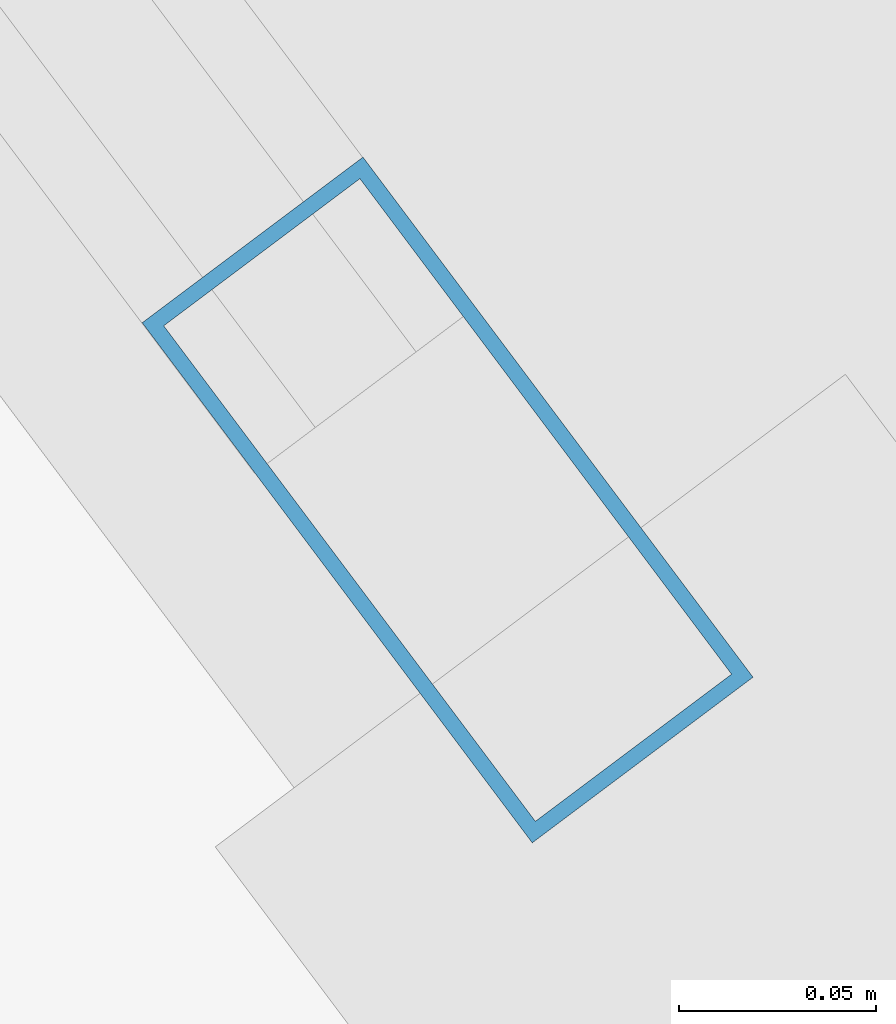
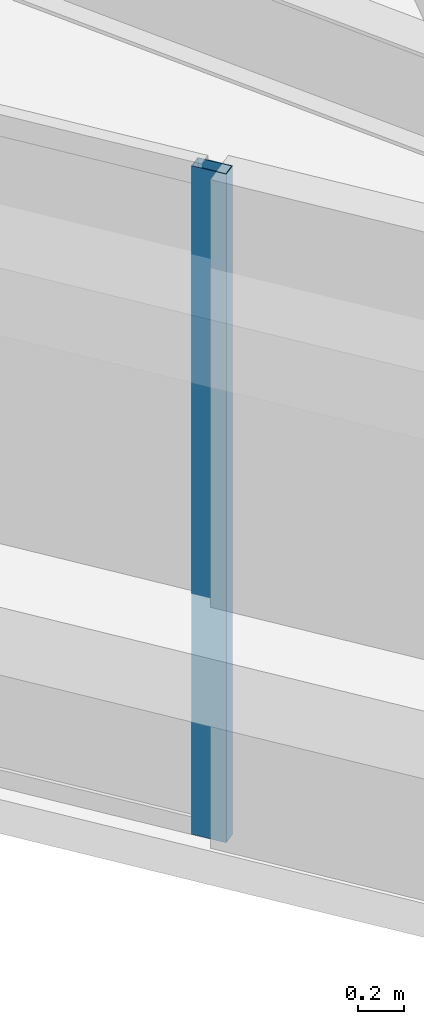
# One storey, part 30 of 56: 1 member, 1 element without a shape of its own.
"""IFC4 building model written with IfcOpenShell, lengths in metres."""

import ifcopenshell
import ifcopenshell.guid

model = None  # the IFC model being written
_history = None  # IfcOwnerHistory: only IFC2X3 demands one
_inside = {}  # id of a spatial element -> (the spatial element, [elements in it])
_under = {}  # id of a project, library or spatial element -> (it, [spatial elements below it])
_declared = {}  # id of a project -> (the project, [libraries it declares])
_typed = {}  # id of a type object -> (the type object, [elements of that type])
_made_of = {}  # id of a material, layer set ... -> (it, [elements and type objects made of it])


def new_model(schema):
    """Start an empty IFC model of exactly this schema.

    Asked for "IFC4X3", IfcOpenShell would pick the latest addendum, in which some entities
    have other attributes; the version numbers below select the first issue.
    IFC2X3 requires an IfcOwnerHistory on every rooted entity: one is made here for all.
    """
    global model, _history
    if schema == "IFC4X3":
        model = ifcopenshell.file(schema_version=(4, 3, 0, 0))
    else:
        model = ifcopenshell.file(schema=schema)
    _inside.clear()
    _under.clear()
    _declared.clear()
    _typed.clear()
    _made_of.clear()
    _history = None
    if model.schema == "IFC2X3":
        org = make("IfcOrganization", Name="unknown")
        user = make(
            "IfcPersonAndOrganization",
            ThePerson=make("IfcPerson", FamilyName="unknown"),
            TheOrganization=org,
        )
        app = make(
            "IfcApplication",
            ApplicationDeveloper=org,
            Version="unknown",
            ApplicationFullName="unknown",
            ApplicationIdentifier="unknown",
        )
        _history = make(
            "IfcOwnerHistory",
            OwningUser=user,
            OwningApplication=app,
            ChangeAction="ADDED",
            CreationDate=0,
        )
    return model


def make(cls, **values):
    """One entity of the class cls with the attributes given. An attribute that is None is left unset."""
    return model.create_entity(
        cls, **{name: value for name, value in values.items() if value is not None}
    )


def rooted(cls, **values):
    """An entity with a GlobalId (a new one), such as an element, a storey or a relation."""
    return make(cls, GlobalId=ifcopenshell.guid.new(), OwnerHistory=_history, **values)


def si_unit(unit_type, name, prefix=None):
    """IfcSIUnit, for example si_unit("LENGTHUNIT", "METRE", prefix="MILLI")."""
    return make("IfcSIUnit", UnitType=unit_type, Prefix=prefix, Name=name)


def assignment(units):
    """IfcUnitAssignment: the units of a project."""
    return None if units is None else make("IfcUnitAssignment", Units=units)


def point(xyz):
    """IfcCartesianPoint."""
    return None if xyz is None else make("IfcCartesianPoint", Coordinates=xyz)


def direction(xyz):
    """IfcDirection."""
    return None if xyz is None else make("IfcDirection", DirectionRatios=xyz)


def frame(location, z_axis=None, x_axis=None):
    """IfcAxis2Placement3D, a coordinate frame: its origin and axes. An axis left out is left unset."""
    return make(
        "IfcAxis2Placement3D",
        Location=point(location),
        Axis=direction(z_axis),
        RefDirection=direction(x_axis),
    )


def frame_2d(location, x_axis=None):
    """IfcAxis2Placement2D, a coordinate frame in the plane: its origin and x axis."""
    return make(
        "IfcAxis2Placement2D", Location=point(location), RefDirection=direction(x_axis)
    )


def origin():
    """The frame at (0, 0, 0) with its axes left unset."""
    return frame((0.0, 0.0, 0.0))


def origin_2d():
    """The frame at (0, 0) in the plane with its x axis left unset."""
    return frame_2d((0.0, 0.0))


def place(relative_to, where):
    """IfcLocalPlacement: puts the frame where relative to a parent placement (None: the world)."""
    return make(
        "IfcLocalPlacement", PlacementRelTo=relative_to, RelativePlacement=where
    )


def context(
    kind, dimensions, precision=None, world=None, true_north=None, identifier=None
):
    """IfcGeometricRepresentationContext, for example the 3D "Model" context."""
    return make(
        "IfcGeometricRepresentationContext",
        ContextIdentifier=identifier,
        ContextType=kind,
        CoordinateSpaceDimension=dimensions,
        Precision=precision,
        WorldCoordinateSystem=world,
        TrueNorth=true_north,
    )


def subcontext(parent, identifier, kind, view, scale=None):
    """IfcGeometricRepresentationSubContext, for example "Body" below "Model"."""
    return make(
        "IfcGeometricRepresentationSubContext",
        ContextIdentifier=identifier,
        ContextType=kind,
        ParentContext=parent,
        TargetScale=scale,
        TargetView=view,
    )


def project(units=None, contexts=None):
    """IfcProject with its units and contexts."""
    return rooted(
        "IfcProject",
        Name="project",
        RepresentationContexts=contexts,
        UnitsInContext=assignment(units),
    )


def spatial(cls, under=None, at=None, **own):
    """A site, building, storey or space (cls), placed at a placement, below another one or the project."""
    s = rooted(cls, ObjectPlacement=at, **own)
    if under is not None:
        _under.setdefault(under.id(), (under, []))[1].append(s)
    return s


def profile(cls, at=None, kind="AREA", **sizes):
    """A parametric profile (cls). Its sizes go by their IFC names, for example OverallWidth=200.0."""
    return make(cls, ProfileType=kind, Position=at, **sizes)


def hollow_rectangle(**sizes):
    """IfcRectangleHollowProfileDef."""
    return profile("IfcRectangleHollowProfileDef", **sizes)


def extrude(swept, where, along, depth):
    """IfcExtrudedAreaSolid: the profile swept, set in the frame where, extruded along a direction by depth."""
    return make(
        "IfcExtrudedAreaSolid",
        SweptArea=swept,
        Position=where,
        ExtrudedDirection=direction(along),
        Depth=depth,
    )


def shape(context_of_items, identifier, shape_type, items):
    """IfcShapeRepresentation: the items that make up one representation, for example the "Body"."""
    return make(
        "IfcShapeRepresentation",
        ContextOfItems=context_of_items,
        RepresentationIdentifier=identifier,
        RepresentationType=shape_type,
        Items=items,
    )


def material(Name=None, Category=None):
    """IfcMaterial."""
    return make("IfcMaterial", Name=Name, Category=Category)


def material_profile(
    of_material, cross_section, Name=None, Category=None, Priority=None
):
    """IfcMaterialProfile: a cross section and its material."""
    return make(
        "IfcMaterialProfile",
        Name=Name,
        Material=of_material,
        Profile=cross_section,
        Priority=Priority,
        Category=Category,
    )


def profile_set(profiles, Name=None, composite=None):
    """IfcMaterialProfileSet."""
    return make(
        "IfcMaterialProfileSet",
        Name=Name,
        MaterialProfiles=profiles,
        CompositeProfile=composite,
    )


def made_of(thing, what):
    """Note that an element or type object is made of a material, layer set ...; save() writes the relation."""
    if what is not None:
        _made_of.setdefault(what.id(), (what, []))[1].append(thing)
    return thing


def type_object(cls, material=None, **own):
    """A type object (cls), such as IfcWallType, which elements share."""
    return made_of(rooted(cls, **own), material)


def element(
    cls,
    number,
    at=None,
    inside=None,
    cuts=None,
    type_object=None,
    material=None,
    context=None,
    identifier="Body",
    shape_type=None,
    held_by="IfcProductDefinitionShape",
    body=None,
    shapes=None,
    **own,
):
    """One element of the class cls, such as IfcWall. Its Tag is "e" and its number.

    at: its placement. inside: the storey or other place that contains it. cuts: it is an
    opening in that element (IfcRelVoidsElement). A single representation is given by context,
    identifier, shape_type and body (its items); several are given by shapes. held_by: the class
    of the entity that holds the representations. save() writes the other relations.
    """
    e = rooted(cls, Tag="e%d" % number, ObjectPlacement=at, **own)
    if body is not None:
        shapes = [shape(context, identifier, shape_type, body)]
    if shapes is not None:
        e.Representation = make(held_by, Representations=shapes)
    if inside is not None:
        _inside.setdefault(inside.id(), (inside, []))[1].append(e)
    if cuts is not None:
        rooted(
            "IfcRelVoidsElement", RelatingBuildingElement=cuts, RelatedOpeningElement=e
        )
    if type_object is not None:
        _typed.setdefault(type_object.id(), (type_object, []))[1].append(e)
    return made_of(e, material)


def aggregate(whole, parts):
    """IfcRelAggregates: a whole, such as a stair, and the parts it consists of."""
    return rooted("IfcRelAggregates", RelatingObject=whole, RelatedObjects=parts)


def save(model, path):
    """Write the relations noted so far, then the file.

    IfcRelAggregates (storeys below a building ...), IfcRelContainedInSpatialStructure (elements
    in a storey), IfcRelDefinesByType, IfcRelAssociatesMaterial and IfcRelDeclares: one each for
    every whole, place, type object, material and project.
    """
    for whole, parts in _under.values():
        aggregate(whole, parts)
    for where, things in _inside.values():
        rooted(
            "IfcRelContainedInSpatialStructure",
            RelatedElements=things,
            RelatingStructure=where,
        )
    for kind, things in _typed.values():
        rooted("IfcRelDefinesByType", RelatedObjects=things, RelatingType=kind)
    for what, things in _made_of.values():
        rooted("IfcRelAssociatesMaterial", RelatedObjects=things, RelatingMaterial=what)
    for by, libraries in _declared.values():
        rooted("IfcRelDeclares", RelatingContext=by, RelatedDefinitions=libraries)
    model.write(path)


model = new_model("IFC4")

# Units and contexts
model_context = context("Model", 3, precision=1e-05, world=origin(), true_north=direction((0.0, 1.0)))
body_context = subcontext(model_context, "Body", "Model", "MODEL_VIEW")
ifc_project = project(units=[si_unit("LENGTHUNIT", "METRE"), si_unit("AREAUNIT", "SQUARE_METRE"), si_unit("VOLUMEUNIT", "CUBIC_METRE"), si_unit("PLANEANGLEUNIT", "RADIAN"), si_unit("MASSUNIT", "GRAM", prefix="KILO")], contexts=[model_context])

# Site, building, storey
site_placement = place(None, origin())
site = spatial("IfcSite", under=ifc_project, at=site_placement, CompositionType="ELEMENT")
building_placement = place(site_placement, origin())
building = spatial("IfcBuilding", under=site, at=building_placement, Name="Tashvorn Skyway Center", CompositionType="ELEMENT")
storey_placement = place(building_placement, frame((0.0, 0.0, 218.39990234375)))
storey = spatial("IfcBuildingStorey", under=building, at=storey_placement, Name="L59", CompositionType="ELEMENT", Elevation=218.39990234375)

# Curtain wall, member
ifc_material = material(Name="Thermally broken bronze-anodized aluminium 6063-T6", Category="aluminium")
curtain_wall_type = type_object("IfcCurtainWallType", Name="CW-CW-Z5", PredefinedType="NOTDEFINED", material=ifc_material)
curtain_wall_placement = place(storey_placement, origin())
curtain_wall = element("IfcCurtainWall", 1, at=curtain_wall_placement, inside=storey, type_object=curtain_wall_type, Name="Tower 2 L59 West Unitised Curtain Wall Glazing Group 3", PredefinedType="NOTDEFINED")
ifc_material_profile = material_profile(ifc_material, hollow_rectangle(XDim=0.070068359375, YDim=0.1650390625, WallThickness=0.00390625, at=origin_2d()), Name="ALU-MULL-70x165")
ifc_profile_set = profile_set([ifc_material_profile], Name="Thermally broken bronze-anodized aluminium 6063-T6")
member_type = type_object("IfcMemberType", Name="CWM-CW-Z5", PredefinedType="MULLION", material=ifc_profile_set)
member_placement = place(storey_placement, frame((95.30419921875, 31.127685546875, 0.0), z_axis=(0.0, 0.0, 1.0), x_axis=(-0.799999999998, -0.600000000002, 0.0)))
member = element("IfcMember", 2, at=member_placement, type_object=member_type, Name="CW-Z5 mullion 1", PredefinedType="MULLION", context=body_context, shape_type="SweptSolid", body=[
    extrude(hollow_rectangle(XDim=0.070068359375, YDim=0.1650390625, WallThickness=0.00390625, at=origin_2d()), origin(), (0.0, 0.0, 1.0), 3.550048828125),
])
aggregate(curtain_wall, [member])

save(model, "model.ifc")
